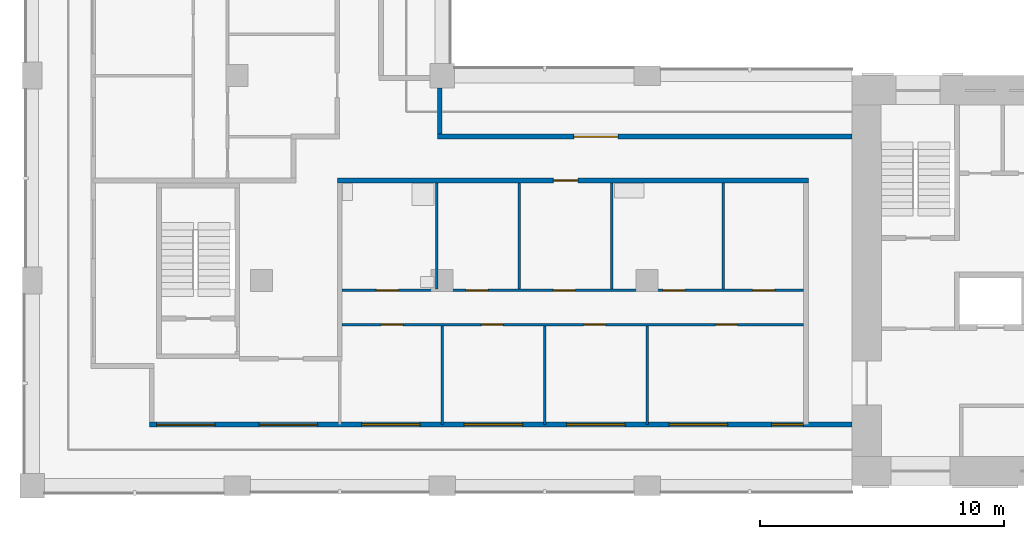
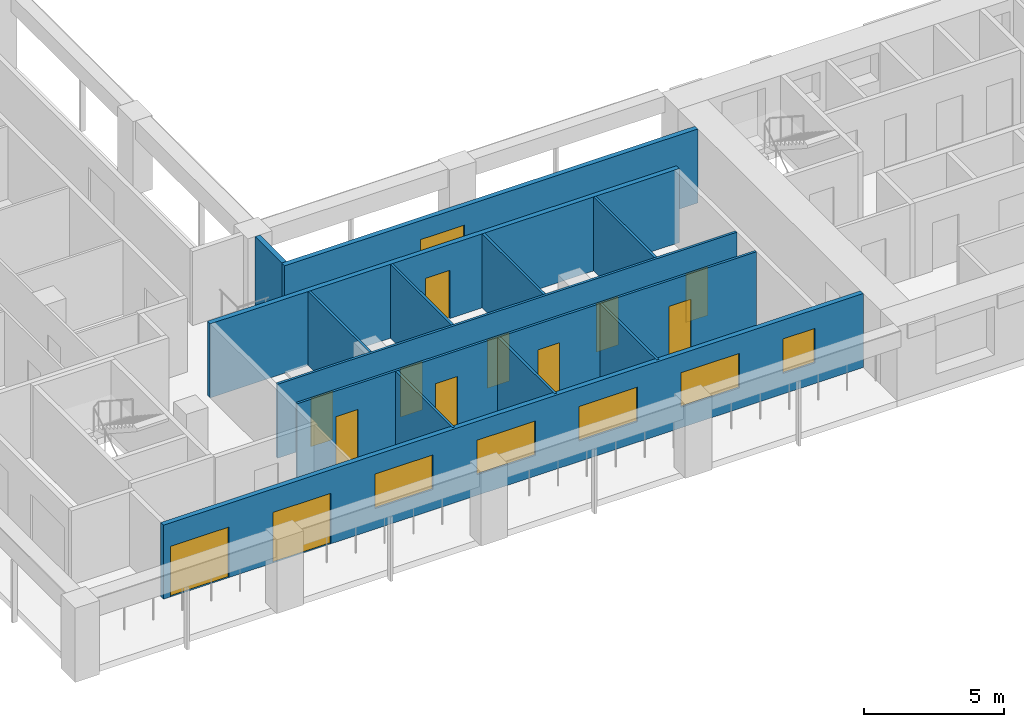
# One storey, part 2 of 9: 13 doors, 13 walls, 5 windows, 18 openings.
"""IFC4 building model written with IfcOpenShell, lengths in metres."""

from ifc_helpers import new_model, si_unit, direction, frame, frame_2d, origin, place, context, subcontext, project, spatial, rectangle, extrude, material, layer, layer_set, type_object, element, fill, save


model = new_model("IFC4")

# Units and contexts
model_context = context("Model", 3, precision=1e-05, world=origin(), true_north=direction((0.0, 1.0)))
body_context = subcontext(model_context, "Body", "Model", "MODEL_VIEW")
ifc_project = project(units=[si_unit("LENGTHUNIT", "METRE"), si_unit("AREAUNIT", "SQUARE_METRE"), si_unit("VOLUMEUNIT", "CUBIC_METRE"), si_unit("PLANEANGLEUNIT", "RADIAN"), si_unit("MASSUNIT", "GRAM", prefix="KILO")], contexts=[model_context])

# Site, building, storey
site_placement = place(None, origin())
site = spatial("IfcSite", under=ifc_project, at=site_placement, CompositionType="ELEMENT")
building_placement = place(site_placement, origin())
building = spatial("IfcBuilding", under=site, at=building_placement, Name="Vermilion Gate Residences", CompositionType="ELEMENT")
storey_placement = place(building_placement, frame((0.0, 0.0, 245.699951171875)))
storey = spatial("IfcBuildingStorey", under=building, at=storey_placement, Name="L64", CompositionType="ELEMENT", Elevation=245.699951171875)

# Wall, openings, doors, windows
ifc_material_1 = material(Name="Insulated steel stud wall with terracotta rainscreen", Category="masonry")
ifc_layer_1 = layer(ifc_material_1, 0.199951171875)
ifc_layer_set_1 = layer_set([ifc_layer_1], Name="EXTERNAL WALL 200 TERRACOTTA RAINSCREEN")
wall_type_1 = type_object("IfcWallType", Name="EXTERNAL WALL 200 TERRACOTTA RAINSCREEN", PredefinedType="SOLIDWALL", material=ifc_layer_set_1)
wall_1_placement = place(storey_placement, frame((13.199951171875, 10.89990234375, 0.0), z_axis=(0.0, 0.0, 1.0), x_axis=(1.0, 0.0, 0.0)))
wall_1 = element("IfcWall", 1, at=wall_1_placement, inside=storey, type_object=wall_type_1, Name="External wall", PredefinedType="SOLIDWALL", context=body_context, shape_type="SweptSolid", body=[
    extrude(rectangle(XDim=28.800048828125, YDim=0.199951171875, at=frame_2d((14.39990234375, 0.0))), origin(), (0.0, 0.0, 1.0), 3.219970703125),
])
opening_1_placement = place(wall_1_placement, frame((0.300048828125, 0.0, 0.0)))
opening_1 = element("IfcOpeningElement", 2, at=opening_1_placement, cuts=wall_1, Name="Opening DE64008", PredefinedType="OPENING", context=body_context, shape_type="SweptSolid", body=[
    extrude(rectangle(XDim=2.39990234375, YDim=2.199951171875, at=frame_2d((1.199951171875, 1.10009765625))), frame((0.0, 0.10986328125, 0.0), z_axis=(0.0, -1.0, 0.0), x_axis=(1.0, 0.0, 0.0)), (0.0, 0.0, 1.0), 0.219970703125),
])
opening_2_placement = place(wall_1_placement, frame((4.5, 0.0, 0.0)))
opening_2 = element("IfcOpeningElement", 3, at=opening_2_placement, cuts=wall_1, Name="Opening DE64009", PredefinedType="OPENING", context=body_context, shape_type="SweptSolid", body=[
    extrude(rectangle(XDim=2.39990234375, YDim=2.199951171875, at=frame_2d((1.199951171875, 1.10009765625))), frame((0.0, 0.10986328125, 0.0), z_axis=(0.0, -1.0, 0.0), x_axis=(1.0, 0.0, 0.0)), (0.0, 0.0, 1.0), 0.219970703125),
])
opening_3_placement = place(wall_1_placement, frame((8.699951171875, 0.0, 0.89990234375)))
opening_3 = element("IfcOpeningElement", 4, at=opening_3_placement, cuts=wall_1, Name="Opening WE64010", PredefinedType="OPENING", context=body_context, shape_type="SweptSolid", body=[
    extrude(rectangle(XDim=2.39990234375, YDim=1.5, at=frame_2d((1.199951171875, 0.75))), frame((0.0, 0.10986328125, 0.0), z_axis=(0.0, -1.0, 0.0), x_axis=(1.0, 0.0, 0.0)), (0.0, 0.0, 1.0), 0.219970703125),
])
opening_4_placement = place(wall_1_placement, frame((12.89990234375, 0.0, 0.89990234375)))
opening_4 = element("IfcOpeningElement", 5, at=opening_4_placement, cuts=wall_1, Name="Opening WE64011", PredefinedType="OPENING", context=body_context, shape_type="SweptSolid", body=[
    extrude(rectangle(XDim=2.39990234375, YDim=1.5, at=frame_2d((1.199951171875, 0.75))), frame((0.0, 0.10986328125, 0.0), z_axis=(0.0, -1.0, 0.0), x_axis=(1.0, 0.0, 0.0)), (0.0, 0.0, 1.0), 0.219970703125),
])
opening_5_placement = place(wall_1_placement, frame((17.10009765625, 0.0, 0.89990234375)))
opening_5 = element("IfcOpeningElement", 6, at=opening_5_placement, cuts=wall_1, Name="Opening WE64012", PredefinedType="OPENING", context=body_context, shape_type="SweptSolid", body=[
    extrude(rectangle(XDim=2.39990234375, YDim=1.5, at=frame_2d((1.199951171875, 0.75))), frame((0.0, 0.10986328125, 0.0), z_axis=(0.0, -1.0, 0.0), x_axis=(1.0, 0.0, 0.0)), (0.0, 0.0, 1.0), 0.219970703125),
])
opening_6_placement = place(wall_1_placement, frame((21.300048828125, 0.0, 0.89990234375)))
opening_6 = element("IfcOpeningElement", 7, at=opening_6_placement, cuts=wall_1, Name="Opening WE64013", PredefinedType="OPENING", context=body_context, shape_type="SweptSolid", body=[
    extrude(rectangle(XDim=2.39990234375, YDim=1.5, at=frame_2d((1.199951171875, 0.75))), frame((0.0, 0.10986328125, 0.0), z_axis=(0.0, -1.0, 0.0), x_axis=(1.0, 0.0, 0.0)), (0.0, 0.0, 1.0), 0.219970703125),
])
opening_7_placement = place(wall_1_placement, frame((25.5, 0.0, 0.89990234375)))
opening_7 = element("IfcOpeningElement", 8, at=opening_7_placement, cuts=wall_1, Name="Opening WE64014", PredefinedType="OPENING", context=body_context, shape_type="SweptSolid", body=[
    extrude(rectangle(XDim=1.300048828125, YDim=1.5, at=frame_2d((0.64990234375, 0.75))), frame((0.0, 0.10986328125, 0.0), z_axis=(0.0, -1.0, 0.0), x_axis=(1.0, 0.0, 0.0)), (0.0, 0.0, 1.0), 0.219970703125),
])
ifc_material_2 = material(Name="Aluminium and clear glass", Category="aluminium")
door_type_1 = type_object("IfcDoorType", Name="SLIDING GLAZED DOOR 2400 X 2200", OperationType="DOUBLE_DOOR_SLIDING", PredefinedType="DOOR", material=ifc_material_2)
door_1_placement = place(opening_1_placement, origin())
door_1 = element("IfcDoor", 9, at=door_1_placement, inside=storey, type_object=door_type_1, Name="Loggia sliding door", OperationType="DOUBLE_DOOR_SLIDING", OverallHeight=2.199951171875, OverallWidth=2.39990234375, PredefinedType="DOOR", context=body_context, shape_type="SweptSolid", body=[
    extrude(rectangle(XDim=2.39990234375, YDim=2.199951171875, at=frame_2d((1.199951171875, 1.10009765625))), frame((0.0, 0.02490234375, 0.0), z_axis=(0.0, -1.0, 0.0), x_axis=(1.0, 0.0, 0.0)), (0.0, 0.0, 1.0), 0.050048828125),
])
fill(opening_1, door_1)
door_2_placement = place(opening_2_placement, origin())
door_2 = element("IfcDoor", 10, at=door_2_placement, inside=storey, type_object=door_type_1, Name="Loggia sliding door", OperationType="DOUBLE_DOOR_SLIDING", OverallHeight=2.199951171875, OverallWidth=2.39990234375, PredefinedType="DOOR", context=body_context, shape_type="SweptSolid", body=[
    extrude(rectangle(XDim=2.39990234375, YDim=2.199951171875, at=frame_2d((1.199951171875, 1.10009765625))), frame((0.0, 0.02490234375, 0.0), z_axis=(0.0, -1.0, 0.0), x_axis=(1.0, 0.0, 0.0)), (0.0, 0.0, 1.0), 0.050048828125),
])
fill(opening_2, door_2)
ifc_material_3 = material(Name="Aluminium and clear glass", Category="aluminium")
window_type_1 = type_object("IfcWindowType", Name="WINDOW 1300 X 1500", PartitioningType="SINGLE_PANEL", PredefinedType="WINDOW", material=ifc_material_3)
window_1_placement = place(opening_7_placement, origin())
window_1 = element("IfcWindow", 11, at=window_1_placement, inside=storey, type_object=window_type_1, Name="Window", OverallHeight=1.5, OverallWidth=1.300048828125, PartitioningType="SINGLE_PANEL", PredefinedType="WINDOW", context=body_context, shape_type="SweptSolid", body=[
    extrude(rectangle(XDim=1.300048828125, YDim=1.5, at=frame_2d((0.64990234375, 0.75))), frame((0.0, 0.030029296875, 0.0), z_axis=(0.0, -1.0, 0.0), x_axis=(1.0, 0.0, 0.0)), (0.0, 0.0, 1.0), 0.06005859375),
])
fill(opening_7, window_1)
ifc_material_4 = material(Name="Aluminium and clear glass", Category="aluminium")
window_type_2 = type_object("IfcWindowType", Name="WINDOW 2400 X 1500", PartitioningType="SINGLE_PANEL", PredefinedType="WINDOW", material=ifc_material_4)
window_2_placement = place(opening_3_placement, origin())
window_2 = element("IfcWindow", 12, at=window_2_placement, inside=storey, type_object=window_type_2, Name="Window", OverallHeight=1.5, OverallWidth=2.39990234375, PartitioningType="SINGLE_PANEL", PredefinedType="WINDOW", context=body_context, shape_type="SweptSolid", body=[
    extrude(rectangle(XDim=2.39990234375, YDim=1.5, at=frame_2d((1.199951171875, 0.75))), frame((0.0, 0.030029296875, 0.0), z_axis=(0.0, -1.0, 0.0), x_axis=(1.0, 0.0, 0.0)), (0.0, 0.0, 1.0), 0.06005859375),
])
fill(opening_3, window_2)
window_3_placement = place(opening_4_placement, origin())
window_3 = element("IfcWindow", 13, at=window_3_placement, inside=storey, type_object=window_type_2, Name="Window", OverallHeight=1.5, OverallWidth=2.39990234375, PartitioningType="SINGLE_PANEL", PredefinedType="WINDOW", context=body_context, shape_type="SweptSolid", body=[
    extrude(rectangle(XDim=2.39990234375, YDim=1.5, at=frame_2d((1.199951171875, 0.75))), frame((0.0, 0.030029296875, 0.0), z_axis=(0.0, -1.0, 0.0), x_axis=(1.0, 0.0, 0.0)), (0.0, 0.0, 1.0), 0.06005859375),
])
fill(opening_4, window_3)
window_4_placement = place(opening_5_placement, origin())
window_4 = element("IfcWindow", 14, at=window_4_placement, inside=storey, type_object=window_type_2, Name="Window", OverallHeight=1.5, OverallWidth=2.39990234375, PartitioningType="SINGLE_PANEL", PredefinedType="WINDOW", context=body_context, shape_type="SweptSolid", body=[
    extrude(rectangle(XDim=2.39990234375, YDim=1.5, at=frame_2d((1.199951171875, 0.75))), frame((0.0, 0.030029296875, 0.0), z_axis=(0.0, -1.0, 0.0), x_axis=(1.0, 0.0, 0.0)), (0.0, 0.0, 1.0), 0.06005859375),
])
fill(opening_5, window_4)
window_5_placement = place(opening_6_placement, origin())
window_5 = element("IfcWindow", 15, at=window_5_placement, inside=storey, type_object=window_type_2, Name="Window", OverallHeight=1.5, OverallWidth=2.39990234375, PartitioningType="SINGLE_PANEL", PredefinedType="WINDOW", context=body_context, shape_type="SweptSolid", body=[
    extrude(rectangle(XDim=2.39990234375, YDim=1.5, at=frame_2d((1.199951171875, 0.75))), frame((0.0, 0.030029296875, 0.0), z_axis=(0.0, -1.0, 0.0), x_axis=(1.0, 0.0, 0.0)), (0.0, 0.0, 1.0), 0.06005859375),
])
fill(opening_6, window_5)

# Wall, opening, door
wall_2_placement = place(storey_placement, frame((42.0, 22.699951171875, 0.0), z_axis=(0.0, 0.0, 1.0), x_axis=(-1.0, 0.0, 0.0)))
wall_2 = element("IfcWall", 16, at=wall_2_placement, inside=storey, type_object=wall_type_1, Name="External wall", PredefinedType="SOLIDWALL", context=body_context, shape_type="SweptSolid", body=[
    extrude(rectangle(XDim=17.0, YDim=0.199951171875, at=frame_2d((8.5, 0.0))), origin(), (0.0, 0.0, 1.0), 3.219970703125),
])
opening_8_placement = place(wall_2_placement, frame((9.60009765625, 0.0, 0.0)))
opening_8 = element("IfcOpeningElement", 17, at=opening_8_placement, cuts=wall_2, Name="Opening DE64015", PredefinedType="OPENING", context=body_context, shape_type="SweptSolid", body=[
    extrude(rectangle(XDim=1.800048828125, YDim=2.39990234375, at=frame_2d((0.89990234375, 1.199951171875))), frame((0.0, 0.10986328125, 0.0), z_axis=(0.0, -1.0, 0.0), x_axis=(1.0, 0.0, 0.0)), (0.0, 0.0, 1.0), 0.219970703125),
])
ifc_material_5 = material(Name="Aluminium and clear glass", Category="aluminium")
door_type_2 = type_object("IfcDoorType", Name="GLAZED EXTERNAL DOOR 1800 X 2400", OperationType="DOUBLE_DOOR_SINGLE_SWING", PredefinedType="DOOR", material=ifc_material_5)
door_3_placement = place(opening_8_placement, frame((1.800048828125, 0.0, 0.0), z_axis=(0.0, 0.0, 1.0), x_axis=(-1.0, 0.0, 0.0)))
door_3 = element("IfcDoor", 18, at=door_3_placement, inside=storey, type_object=door_type_2, Name="Gallery door", OperationType="DOUBLE_DOOR_SINGLE_SWING", OverallHeight=2.39990234375, OverallWidth=1.800048828125, PredefinedType="DOOR", context=body_context, shape_type="SweptSolid", body=[
    extrude(rectangle(XDim=1.800048828125, YDim=2.39990234375, at=frame_2d((0.89990234375, 1.199951171875))), frame((0.0, 0.02490234375, 0.0), z_axis=(0.0, -1.0, 0.0), x_axis=(1.0, 0.0, 0.0)), (0.0, 0.0, 1.0), 0.050048828125),
])
fill(opening_8, door_3)

# Wall
wall_3_placement = place(storey_placement, frame((25.10009765625, 22.800048828125, 0.0), z_axis=(0.0, 0.0, 1.0), x_axis=(0.0, 1.0, 0.0)))
element("IfcWall", 19, at=wall_3_placement, inside=storey, type_object=wall_type_1, Name="External wall", PredefinedType="SOLIDWALL", context=body_context, shape_type="SweptSolid", body=[
    extrude(rectangle(XDim=1.89990234375, YDim=0.199951171875, at=frame_2d((0.949951171875, 0.0))), origin(), (0.0, 0.0, 1.0), 3.219970703125),
])

# Wall, openings, doors
ifc_material_6 = material(Name="Plasterboard on steel studs", Category="steel")
ifc_layer_2 = layer(ifc_material_6, 0.10009765625)
ifc_layer_set_2 = layer_set([ifc_layer_2], Name="PARTITION 100")
wall_type_2 = type_object("IfcWallType", Name="PARTITION 100", PredefinedType="PARTITIONING", material=ifc_layer_set_2)
wall_4_placement = place(storey_placement, frame((21.10009765625, 15.0, 0.0), z_axis=(0.0, 0.0, 1.0), x_axis=(1.0, 0.0, 0.0)))
wall_4 = element("IfcWall", 20, at=wall_4_placement, inside=storey, type_object=wall_type_2, Name="Partition", PredefinedType="PARTITIONING", context=body_context, shape_type="SweptSolid", body=[
    extrude(rectangle(XDim=18.89990234375, YDim=0.10009765625, at=frame_2d((9.449951171875, 0.0))), origin(), (0.0, 0.0, 1.0), 3.219970703125),
])
opening_9_placement = place(wall_4_placement, frame((1.60009765625, 0.0, 0.0)))
opening_9 = element("IfcOpeningElement", 21, at=opening_9_placement, cuts=wall_4, Name="Opening DA64002", PredefinedType="OPENING", context=body_context, shape_type="SweptSolid", body=[
    extrude(rectangle(XDim=0.89990234375, YDim=2.10009765625, at=frame_2d((0.449951171875, 1.050048828125))), frame((0.0, 0.06005859375, 0.0), z_axis=(0.0, -1.0, 0.0), x_axis=(1.0, 0.0, 0.0)), (0.0, 0.0, 1.0), 0.1201171875),
])
opening_10_placement = place(wall_4_placement, frame((5.699951171875, 0.0, 0.0)))
opening_10 = element("IfcOpeningElement", 22, at=opening_10_placement, cuts=wall_4, Name="Opening DA64003", PredefinedType="OPENING", context=body_context, shape_type="SweptSolid", body=[
    extrude(rectangle(XDim=0.89990234375, YDim=2.10009765625, at=frame_2d((0.449951171875, 1.050048828125))), frame((0.0, 0.06005859375, 0.0), z_axis=(0.0, -1.0, 0.0), x_axis=(1.0, 0.0, 0.0)), (0.0, 0.0, 1.0), 0.1201171875),
])
opening_11_placement = place(wall_4_placement, frame((9.89990234375, 0.0, 0.0)))
opening_11 = element("IfcOpeningElement", 23, at=opening_11_placement, cuts=wall_4, Name="Opening DA64004", PredefinedType="OPENING", context=body_context, shape_type="SweptSolid", body=[
    extrude(rectangle(XDim=0.89990234375, YDim=2.10009765625, at=frame_2d((0.449951171875, 1.050048828125))), frame((0.0, 0.06005859375, 0.0), z_axis=(0.0, -1.0, 0.0), x_axis=(1.0, 0.0, 0.0)), (0.0, 0.0, 1.0), 0.1201171875),
])
opening_12_placement = place(wall_4_placement, frame((15.300048828125, 0.0, 0.0)))
opening_12 = element("IfcOpeningElement", 24, at=opening_12_placement, cuts=wall_4, Name="Opening DA64005", PredefinedType="OPENING", context=body_context, shape_type="SweptSolid", body=[
    extrude(rectangle(XDim=0.89990234375, YDim=2.10009765625, at=frame_2d((0.449951171875, 1.050048828125))), frame((0.0, 0.06005859375, 0.0), z_axis=(0.0, -1.0, 0.0), x_axis=(1.0, 0.0, 0.0)), (0.0, 0.0, 1.0), 0.1201171875),
])
ifc_material_7 = material(Name="Timber", Category="wood")
door_type_3 = type_object("IfcDoorType", Name="INTERIOR DOOR 900 X 2100", OperationType="SINGLE_SWING_LEFT", PredefinedType="DOOR", material=ifc_material_7)
door_4_placement = place(opening_9_placement, frame((0.89990234375, 0.0, 0.0), z_axis=(0.0, 0.0, 1.0), x_axis=(-1.0, 0.0, 0.0)))
door_4 = element("IfcDoor", 25, at=door_4_placement, inside=storey, type_object=door_type_3, Name="Interior door", OperationType="SINGLE_SWING_LEFT", OverallHeight=2.10009765625, OverallWidth=0.89990234375, PredefinedType="DOOR", context=body_context, shape_type="SweptSolid", body=[
    extrude(rectangle(XDim=0.89990234375, YDim=2.10009765625, at=frame_2d((0.449951171875, 1.050048828125))), frame((0.0, 0.02490234375, 0.0), z_axis=(0.0, -1.0, 0.0), x_axis=(1.0, 0.0, 0.0)), (0.0, 0.0, 1.0), 0.050048828125),
])
fill(opening_9, door_4)
door_5_placement = place(opening_10_placement, frame((0.89990234375, 0.0, 0.0), z_axis=(0.0, 0.0, 1.0), x_axis=(-1.0, 0.0, 0.0)))
door_5 = element("IfcDoor", 26, at=door_5_placement, inside=storey, type_object=door_type_3, Name="Interior door", OperationType="SINGLE_SWING_RIGHT", OverallHeight=2.10009765625, OverallWidth=0.89990234375, PredefinedType="DOOR", context=body_context, shape_type="SweptSolid", body=[
    extrude(rectangle(XDim=0.89990234375, YDim=2.10009765625, at=frame_2d((0.449951171875, 1.050048828125))), frame((0.0, 0.02490234375, 0.0), z_axis=(0.0, -1.0, 0.0), x_axis=(1.0, 0.0, 0.0)), (0.0, 0.0, 1.0), 0.050048828125),
])
fill(opening_10, door_5)
door_6_placement = place(opening_11_placement, frame((0.89990234375, 0.0, 0.0), z_axis=(0.0, 0.0, 1.0), x_axis=(-1.0, 0.0, 0.0)))
door_6 = element("IfcDoor", 27, at=door_6_placement, inside=storey, type_object=door_type_3, Name="Interior door", OperationType="SINGLE_SWING_RIGHT", OverallHeight=2.10009765625, OverallWidth=0.89990234375, PredefinedType="DOOR", context=body_context, shape_type="SweptSolid", body=[
    extrude(rectangle(XDim=0.89990234375, YDim=2.10009765625, at=frame_2d((0.449951171875, 1.050048828125))), frame((0.0, 0.02490234375, 0.0), z_axis=(0.0, -1.0, 0.0), x_axis=(1.0, 0.0, 0.0)), (0.0, 0.0, 1.0), 0.050048828125),
])
fill(opening_11, door_6)
door_7_placement = place(opening_12_placement, frame((0.89990234375, 0.0, 0.0), z_axis=(0.0, 0.0, 1.0), x_axis=(-1.0, 0.0, 0.0)))
door_7 = element("IfcDoor", 28, at=door_7_placement, inside=storey, type_object=door_type_3, Name="Interior door", OperationType="SINGLE_SWING_LEFT", OverallHeight=2.10009765625, OverallWidth=0.89990234375, PredefinedType="DOOR", context=body_context, shape_type="SweptSolid", body=[
    extrude(rectangle(XDim=0.89990234375, YDim=2.10009765625, at=frame_2d((0.449951171875, 1.050048828125))), frame((0.0, 0.02490234375, 0.0), z_axis=(0.0, -1.0, 0.0), x_axis=(1.0, 0.0, 0.0)), (0.0, 0.0, 1.0), 0.050048828125),
])
fill(opening_12, door_7)

wall_5_placement = place(storey_placement, frame((21.10009765625, 16.39990234375, 0.0), z_axis=(0.0, 0.0, 1.0), x_axis=(1.0, 0.0, 0.0)))
wall_5 = element("IfcWall", 29, at=wall_5_placement, inside=storey, type_object=wall_type_2, Name="Partition", PredefinedType="PARTITIONING", context=body_context, shape_type="SweptSolid", body=[
    extrude(rectangle(XDim=18.89990234375, YDim=0.10009765625, at=frame_2d((9.449951171875, 0.0))), origin(), (0.0, 0.0, 1.0), 3.219970703125),
])
opening_13_placement = place(wall_5_placement, frame((8.659912109375, 0.0, 0.0)))
opening_13 = element("IfcOpeningElement", 30, at=opening_13_placement, cuts=wall_5, Name="Opening DA64006", PredefinedType="OPENING", context=body_context, shape_type="SweptSolid", body=[
    extrude(rectangle(XDim=0.89990234375, YDim=2.10009765625, at=frame_2d((0.449951171875, 1.050048828125))), frame((0.0, 0.06005859375, 0.0), z_axis=(0.0, -1.0, 0.0), x_axis=(1.0, 0.0, 0.0)), (0.0, 0.0, 1.0), 0.1201171875),
])
opening_14_placement = place(wall_5_placement, frame((1.39990234375, 0.0, 0.0)))
opening_14 = element("IfcOpeningElement", 31, at=opening_14_placement, cuts=wall_5, Name="Opening DA64007", PredefinedType="OPENING", context=body_context, shape_type="SweptSolid", body=[
    extrude(rectangle(XDim=0.89990234375, YDim=2.10009765625, at=frame_2d((0.449951171875, 1.050048828125))), frame((0.0, 0.06005859375, 0.0), z_axis=(0.0, -1.0, 0.0), x_axis=(1.0, 0.0, 0.0)), (0.0, 0.0, 1.0), 0.1201171875),
])
opening_15_placement = place(wall_5_placement, frame((5.080078125, 0.0, 0.0)))
opening_15 = element("IfcOpeningElement", 32, at=opening_15_placement, cuts=wall_5, Name="Opening DA64008", PredefinedType="OPENING", context=body_context, shape_type="SweptSolid", body=[
    extrude(rectangle(XDim=0.89990234375, YDim=2.10009765625, at=frame_2d((0.449951171875, 1.050048828125))), frame((0.0, 0.06005859375, 0.0), z_axis=(0.0, -1.0, 0.0), x_axis=(1.0, 0.0, 0.0)), (0.0, 0.0, 1.0), 0.1201171875),
])
opening_16_placement = place(wall_5_placement, frame((13.139892578125, 0.0, 0.0)))
opening_16 = element("IfcOpeningElement", 33, at=opening_16_placement, cuts=wall_5, Name="Opening DA64009", PredefinedType="OPENING", context=body_context, shape_type="SweptSolid", body=[
    extrude(rectangle(XDim=0.89990234375, YDim=2.10009765625, at=frame_2d((0.449951171875, 1.050048828125))), frame((0.0, 0.06005859375, 0.0), z_axis=(0.0, -1.0, 0.0), x_axis=(1.0, 0.0, 0.0)), (0.0, 0.0, 1.0), 0.1201171875),
])
opening_17_placement = place(wall_5_placement, frame((16.820068359375, 0.0, 0.0)))
opening_17 = element("IfcOpeningElement", 34, at=opening_17_placement, cuts=wall_5, Name="Opening DA64010", PredefinedType="OPENING", context=body_context, shape_type="SweptSolid", body=[
    extrude(rectangle(XDim=0.89990234375, YDim=2.10009765625, at=frame_2d((0.449951171875, 1.050048828125))), frame((0.0, 0.06005859375, 0.0), z_axis=(0.0, -1.0, 0.0), x_axis=(1.0, 0.0, 0.0)), (0.0, 0.0, 1.0), 0.1201171875),
])
door_8_placement = place(opening_13_placement, origin())
door_8 = element("IfcDoor", 35, at=door_8_placement, inside=storey, type_object=door_type_3, Name="Interior door", OperationType="SINGLE_SWING_LEFT", OverallHeight=2.10009765625, OverallWidth=0.89990234375, PredefinedType="DOOR", context=body_context, shape_type="SweptSolid", body=[
    extrude(rectangle(XDim=0.89990234375, YDim=2.10009765625, at=frame_2d((0.449951171875, 1.050048828125))), frame((0.0, 0.02490234375, 0.0), z_axis=(0.0, -1.0, 0.0), x_axis=(1.0, 0.0, 0.0)), (0.0, 0.0, 1.0), 0.050048828125),
])
fill(opening_13, door_8)
door_9_placement = place(opening_14_placement, origin())
door_9 = element("IfcDoor", 36, at=door_9_placement, inside=storey, type_object=door_type_3, Name="Interior door", OperationType="SINGLE_SWING_RIGHT", OverallHeight=2.10009765625, OverallWidth=0.89990234375, PredefinedType="DOOR", context=body_context, shape_type="SweptSolid", body=[
    extrude(rectangle(XDim=0.89990234375, YDim=2.10009765625, at=frame_2d((0.449951171875, 1.050048828125))), frame((0.0, 0.02490234375, 0.0), z_axis=(0.0, -1.0, 0.0), x_axis=(1.0, 0.0, 0.0)), (0.0, 0.0, 1.0), 0.050048828125),
])
fill(opening_14, door_9)
door_10_placement = place(opening_15_placement, origin())
door_10 = element("IfcDoor", 37, at=door_10_placement, inside=storey, type_object=door_type_3, Name="Interior door", OperationType="SINGLE_SWING_LEFT", OverallHeight=2.10009765625, OverallWidth=0.89990234375, PredefinedType="DOOR", context=body_context, shape_type="SweptSolid", body=[
    extrude(rectangle(XDim=0.89990234375, YDim=2.10009765625, at=frame_2d((0.449951171875, 1.050048828125))), frame((0.0, 0.02490234375, 0.0), z_axis=(0.0, -1.0, 0.0), x_axis=(1.0, 0.0, 0.0)), (0.0, 0.0, 1.0), 0.050048828125),
])
fill(opening_15, door_10)
door_11_placement = place(opening_16_placement, origin())
door_11 = element("IfcDoor", 38, at=door_11_placement, inside=storey, type_object=door_type_3, Name="Interior door", OperationType="SINGLE_SWING_LEFT", OverallHeight=2.10009765625, OverallWidth=0.89990234375, PredefinedType="DOOR", context=body_context, shape_type="SweptSolid", body=[
    extrude(rectangle(XDim=0.89990234375, YDim=2.10009765625, at=frame_2d((0.449951171875, 1.050048828125))), frame((0.0, 0.02490234375, 0.0), z_axis=(0.0, -1.0, 0.0), x_axis=(1.0, 0.0, 0.0)), (0.0, 0.0, 1.0), 0.050048828125),
])
fill(opening_16, door_11)
door_12_placement = place(opening_17_placement, origin())
door_12 = element("IfcDoor", 39, at=door_12_placement, inside=storey, type_object=door_type_3, Name="Interior door", OperationType="SINGLE_SWING_LEFT", OverallHeight=2.10009765625, OverallWidth=0.89990234375, PredefinedType="DOOR", context=body_context, shape_type="SweptSolid", body=[
    extrude(rectangle(XDim=0.89990234375, YDim=2.10009765625, at=frame_2d((0.449951171875, 1.050048828125))), frame((0.0, 0.02490234375, 0.0), z_axis=(0.0, -1.0, 0.0), x_axis=(1.0, 0.0, 0.0)), (0.0, 0.0, 1.0), 0.050048828125),
])
fill(opening_17, door_12)

# Walls
wall_6_placement = place(storey_placement, frame((24.97998046875, 16.449951171875, 0.0), z_axis=(0.0, 0.0, 1.0), x_axis=(0.0, 1.0, 0.0)))
element("IfcWall", 40, at=wall_6_placement, inside=storey, type_object=wall_type_2, Name="Partition", PredefinedType="PARTITIONING", context=body_context, shape_type="SweptSolid", body=[
    extrude(rectangle(XDim=4.35009765625, YDim=0.10009765625, at=frame_2d((2.175048828125, 0.0))), origin(), (0.0, 0.0, 1.0), 3.219970703125),
])
wall_7_placement = place(storey_placement, frame((25.199951171875, 10.89990234375, 0.0), z_axis=(0.0, 0.0, 1.0), x_axis=(0.0, 1.0, 0.0)))
element("IfcWall", 41, at=wall_7_placement, inside=storey, type_object=wall_type_2, Name="Partition", PredefinedType="PARTITIONING", context=body_context, shape_type="SweptSolid", body=[
    extrude(rectangle(XDim=4.050048828125, YDim=0.10009765625, at=frame_2d((2.02490234375, 0.0))), origin(), (0.0, 0.0, 1.0), 3.219970703125),
])
wall_8_placement = place(storey_placement, frame((28.360107421875, 16.449951171875, 0.0), z_axis=(0.0, 0.0, 1.0), x_axis=(0.0, 1.0, 0.0)))
element("IfcWall", 42, at=wall_8_placement, inside=storey, type_object=wall_type_2, Name="Partition", PredefinedType="PARTITIONING", context=body_context, shape_type="SweptSolid", body=[
    extrude(rectangle(XDim=4.35009765625, YDim=0.10009765625, at=frame_2d((2.175048828125, 0.0))), origin(), (0.0, 0.0, 1.0), 3.219970703125),
])
wall_9_placement = place(storey_placement, frame((29.39990234375, 10.89990234375, 0.0), z_axis=(0.0, 0.0, 1.0), x_axis=(0.0, 1.0, 0.0)))
element("IfcWall", 43, at=wall_9_placement, inside=storey, type_object=wall_type_2, Name="Partition", PredefinedType="PARTITIONING", context=body_context, shape_type="SweptSolid", body=[
    extrude(rectangle(XDim=4.050048828125, YDim=0.10009765625, at=frame_2d((2.02490234375, 0.0))), origin(), (0.0, 0.0, 1.0), 3.219970703125),
])
wall_10_placement = place(storey_placement, frame((32.139892578125, 16.449951171875, 0.0), z_axis=(0.0, 0.0, 1.0), x_axis=(0.0, 1.0, 0.0)))
element("IfcWall", 44, at=wall_10_placement, inside=storey, type_object=wall_type_2, Name="Partition", PredefinedType="PARTITIONING", context=body_context, shape_type="SweptSolid", body=[
    extrude(rectangle(XDim=4.35009765625, YDim=0.10009765625, at=frame_2d((2.175048828125, 0.0))), origin(), (0.0, 0.0, 1.0), 3.219970703125),
])
wall_11_placement = place(storey_placement, frame((33.60009765625, 10.89990234375, 0.0), z_axis=(0.0, 0.0, 1.0), x_axis=(0.0, 1.0, 0.0)))
element("IfcWall", 45, at=wall_11_placement, inside=storey, type_object=wall_type_2, Name="Partition", PredefinedType="PARTITIONING", context=body_context, shape_type="SweptSolid", body=[
    extrude(rectangle(XDim=4.050048828125, YDim=0.10009765625, at=frame_2d((2.02490234375, 0.0))), origin(), (0.0, 0.0, 1.0), 3.219970703125),
])
wall_12_placement = place(storey_placement, frame((36.719970703125, 16.449951171875, 0.0), z_axis=(0.0, 0.0, 1.0), x_axis=(0.0, 1.0, 0.0)))
element("IfcWall", 46, at=wall_12_placement, inside=storey, type_object=wall_type_2, Name="Partition", PredefinedType="PARTITIONING", context=body_context, shape_type="SweptSolid", body=[
    extrude(rectangle(XDim=4.35009765625, YDim=0.10009765625, at=frame_2d((2.175048828125, 0.0))), origin(), (0.0, 0.0, 1.0), 3.219970703125),
])

# Wall, opening, door
ifc_material_8 = material(Name="Fire-rated plasterboard on steel studs", Category="steel")
ifc_layer_3 = layer(ifc_material_8, 0.199951171875)
ifc_layer_set_3 = layer_set([ifc_layer_3], Name="PARTY WALL 200 EI 120")
wall_type_3 = type_object("IfcWallType", Name="PARTY WALL 200 EI 120", PredefinedType="PARTITIONING", material=ifc_layer_set_3)
wall_13_placement = place(storey_placement, frame((20.89990234375, 20.89990234375, 0.0), z_axis=(0.0, 0.0, 1.0), x_axis=(1.0, 0.0, 0.0)))
wall_13 = element("IfcWall", 47, at=wall_13_placement, inside=storey, type_object=wall_type_3, Name="Party and corridor wall", PredefinedType="PARTITIONING", context=body_context, shape_type="SweptSolid", body=[
    extrude(rectangle(XDim=19.300048828125, YDim=0.199951171875, at=frame_2d((9.64990234375, 0.0))), origin(), (0.0, 0.0, 1.0), 3.219970703125),
])
opening_18_placement = place(wall_13_placement, frame((8.860107421875, 0.0, 0.0)))
opening_18 = element("IfcOpeningElement", 48, at=opening_18_placement, cuts=wall_13, Name="Opening DA64011", PredefinedType="OPENING", context=body_context, shape_type="SweptSolid", body=[
    extrude(rectangle(XDim=1.0, YDim=2.10009765625, at=frame_2d((0.5, 1.050048828125))), frame((0.0, 0.10986328125, 0.0), z_axis=(0.0, -1.0, 0.0), x_axis=(1.0, 0.0, 0.0)), (0.0, 0.0, 1.0), 0.219970703125),
])
ifc_material_9 = material(Name="Steel", Category="steel")
door_type_4 = type_object("IfcDoorType", Name="ENTRANCE DOOR 1000 X 2100 FD30", OperationType="SINGLE_SWING_LEFT", PredefinedType="DOOR", material=ifc_material_9)
door_13_placement = place(opening_18_placement, frame((1.0, 0.0, 0.0), z_axis=(0.0, 0.0, 1.0), x_axis=(-1.0, 0.0, 0.0)))
door_13 = element("IfcDoor", 49, at=door_13_placement, inside=storey, type_object=door_type_4, Name="Entrance door", OperationType="SINGLE_SWING_LEFT", OverallHeight=2.10009765625, OverallWidth=1.0, PredefinedType="DOOR", context=body_context, shape_type="SweptSolid", body=[
    extrude(rectangle(XDim=1.0, YDim=2.10009765625, at=frame_2d((0.5, 1.050048828125))), frame((0.0, 0.02490234375, 0.0), z_axis=(0.0, -1.0, 0.0), x_axis=(1.0, 0.0, 0.0)), (0.0, 0.0, 1.0), 0.050048828125),
])
fill(opening_18, door_13)

save(model, "model.ifc")
